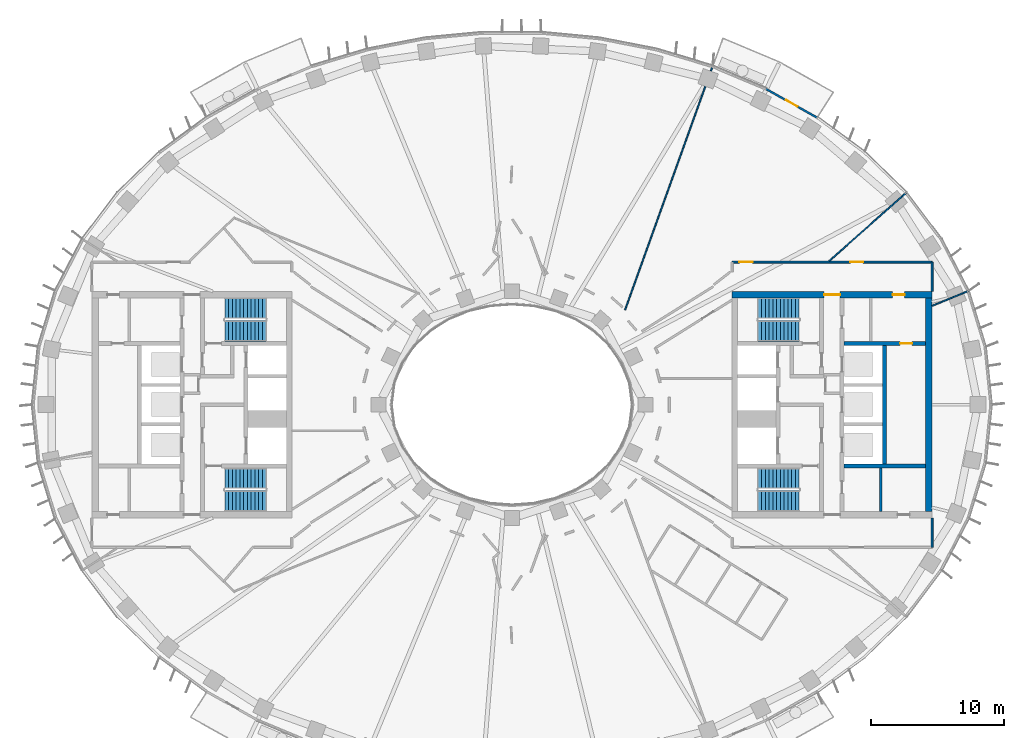
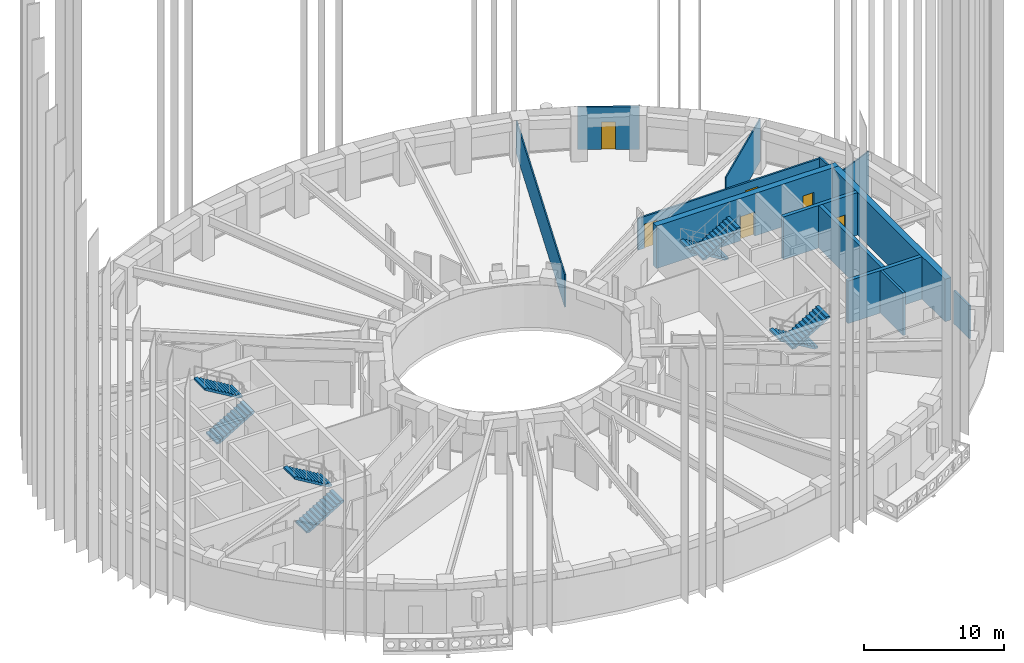
# One storey, part 7 of 19: 13 walls, 8 stair flights, 6 doors, 6 openings, 4 elements without a shape of their own.
"""IFC4 building model written with IfcOpenShell, lengths in metres."""

from ifc_helpers import new_model, si_unit, direction, frame, frame_2d, origin, place, context, subcontext, project, spatial, polyline, rectangle, outline, extrude, material, layer, layer_set, type_object, element, fill, aggregate, save


model = new_model("IFC4")

# Units and contexts
model_context = context("Model", 3, precision=1e-05, world=origin(), true_north=direction((0.0, 1.0)))
body_context = subcontext(model_context, "Body", "Model", "MODEL_VIEW")
ifc_project = project(units=[si_unit("LENGTHUNIT", "METRE"), si_unit("AREAUNIT", "SQUARE_METRE"), si_unit("VOLUMEUNIT", "CUBIC_METRE"), si_unit("PLANEANGLEUNIT", "RADIAN"), si_unit("MASSUNIT", "GRAM", prefix="KILO")], contexts=[model_context])

# Site, building, storey
site_placement = place(None, origin())
site = spatial("IfcSite", under=ifc_project, at=site_placement, CompositionType="ELEMENT")
building_placement = place(site_placement, origin())
building = spatial("IfcBuilding", under=site, at=building_placement, Name="Noorbagh Ring Tower", CompositionType="ELEMENT")
storey_placement = place(building_placement, frame((0.0, 0.0, 146.0)))
storey = spatial("IfcBuildingStorey", under=building, at=storey_placement, Name="L33", CompositionType="ELEMENT", Elevation=146.0)

# Walls
ifc_material_1 = material(Name="Gypsum board on steel studs", Category="steel")
ifc_layer_1 = layer(ifc_material_1, 0.199951171875)
ifc_layer_set_1 = layer_set([ifc_layer_1], Name="Gypsum board on steel studs")
wall_type_1 = type_object("IfcWallType", Name="CORE-PARTITION-200", PredefinedType="PARTITIONING", material=ifc_layer_set_1)
wall_1_placement = place(storey_placement, frame((27.64990234375, -8.0, 0.0), z_axis=(0.0, 0.0, 1.0), x_axis=(0.0, 1.0, 0.0)))
element("IfcWall", 1, at=wall_1_placement, inside=storey, type_object=wall_type_1, Name="Core partition E", PredefinedType="PARTITIONING", context=body_context, shape_type="SweptSolid", body=[
    extrude(rectangle(XDim=3.25, YDim=0.199951171875, at=frame_2d((1.625, 0.0))), origin(), (0.0, 0.0, 1.0), 3.699951171875),
])
ifc_material_2 = material(Name="Concrete C60/75", Category="concrete")
ifc_layer_2 = layer(ifc_material_2, 0.300048828125)
ifc_layer_set_2 = layer_set([ifc_layer_2], Name="Concrete C60/75")
wall_type_2 = type_object("IfcWallType", Name="CORE-WALL-300-C60-75-EI120", PredefinedType="SHEAR", material=ifc_layer_set_2)
wall_2_placement = place(storey_placement, frame((27.949951171875, -4.449951171875, 0.0), z_axis=(0.0, 0.0, 1.0), x_axis=(0.0, 1.0, 0.0)))
element("IfcWall", 2, at=wall_2_placement, inside=storey, type_object=wall_type_2, Name="Core wall E", PredefinedType="SHEAR", context=body_context, shape_type="SweptSolid", body=[
    extrude(rectangle(XDim=8.89990234375, YDim=0.300048828125, at=frame_2d((4.449951171875, 0.0))), origin(), (0.0, 0.0, 1.0), 3.699951171875),
])

# Wall, opening, door
ifc_material_3 = material(Name="Concrete C60/75", Category="concrete")
ifc_layer_3 = layer(ifc_material_3, 0.300048828125)
ifc_layer_set_3 = layer_set([ifc_layer_3], Name="Concrete C60/75")
wall_type_3 = type_object("IfcWallType", Name="CORE-WALL-300-C60-75-EI240", PredefinedType="SHEAR", material=ifc_layer_set_3)
wall_3_placement = place(storey_placement, frame((24.89990234375, 4.60009765625, 0.0), z_axis=(0.0, 0.0, 1.0), x_axis=(1.0, 0.0, 0.0)))
wall_3 = element("IfcWall", 3, at=wall_3_placement, inside=storey, type_object=wall_type_3, Name="Core wall E", PredefinedType="SHEAR", context=body_context, shape_type="SweptSolid", body=[
    extrude(rectangle(XDim=6.10009765625, YDim=0.300048828125, at=frame_2d((3.050048828125, 0.0))), origin(), (0.0, 0.0, 1.0), 3.699951171875),
])
opening_1_placement = place(wall_3_placement, frame((4.199951171875, 0.0, 0.0)))
opening_1 = element("IfcOpeningElement", 4, at=opening_1_placement, cuts=wall_3, Name="Opening L33-CE18", PredefinedType="OPENING", context=body_context, shape_type="SweptSolid", body=[
    extrude(rectangle(XDim=0.89990234375, YDim=2.10009765625, at=frame_2d((0.449951171875, 1.050048828125))), frame((0.0, 0.16015625, 0.0), z_axis=(0.0, -1.0, 0.0), x_axis=(1.0, 0.0, 0.0)), (0.0, 0.0, 1.0), 0.320068359375),
])
ifc_material_4 = material(Name="Steel door leaf", Category="steel")
door_type_1 = type_object("IfcDoorType", Name="CORE-DOOR-DROOM", OperationType="SINGLE_SWING_LEFT", PredefinedType="DOOR", material=ifc_material_4)
door_1_placement = place(opening_1_placement, origin())
door_1 = element("IfcDoor", 5, at=door_1_placement, inside=storey, type_object=door_type_1, Name="Core room door L33-CE18", OperationType="SINGLE_SWING_RIGHT", OverallHeight=2.10009765625, OverallWidth=0.89990234375, PredefinedType="DOOR", context=body_context, shape_type="SweptSolid", body=[
    extrude(rectangle(XDim=0.89990234375, YDim=2.10009765625, at=frame_2d((0.449951171875, 1.050048828125))), frame((0.0, 0.02490234375, 0.0), z_axis=(0.0, -1.0, 0.0), x_axis=(1.0, 0.0, 0.0)), (0.0, 0.0, 1.0), 0.050048828125),
])
fill(opening_1, door_1)

# Wall
wall_4_placement = place(storey_placement, frame((24.89990234375, -4.60009765625, 0.0), z_axis=(0.0, 0.0, 1.0), x_axis=(1.0, 0.0, 0.0)))
element("IfcWall", 6, at=wall_4_placement, inside=storey, type_object=wall_type_3, Name="Core wall E", PredefinedType="SHEAR", context=body_context, shape_type="SweptSolid", body=[
    extrude(rectangle(XDim=6.10009765625, YDim=0.300048828125, at=frame_2d((3.050048828125, 0.0))), origin(), (0.0, 0.0, 1.0), 3.699951171875),
])

# Wall, openings, doors
ifc_material_5 = material(Name="Concrete C60/75", Category="concrete")
ifc_layer_4 = layer(ifc_material_5, 0.5)
ifc_layer_set_4 = layer_set([ifc_layer_4], Name="Concrete C60/75")
wall_type_4 = type_object("IfcWallType", Name="CORE-WALL-500-C60-75-EI240", PredefinedType="SHEAR", material=ifc_layer_set_4)
wall_5_placement = place(storey_placement, frame((16.5, 8.25, 0.0), z_axis=(0.0, 0.0, 1.0), x_axis=(1.0, 0.0, 0.0)))
wall_5 = element("IfcWall", 7, at=wall_5_placement, inside=storey, type_object=wall_type_4, Name="Core wall E", PredefinedType="SHEAR", context=body_context, shape_type="SweptSolid", body=[
    extrude(rectangle(XDim=15.0, YDim=0.5, at=frame_2d((7.5, 0.0))), origin(), (0.0, 0.0, 1.0), 3.699951171875),
])
opening_2_placement = place(wall_5_placement, frame((6.89990234375, 0.0, 0.0)))
opening_2 = element("IfcOpeningElement", 8, at=opening_2_placement, cuts=wall_5, Name="Opening L33-CE11", PredefinedType="OPENING", context=body_context, shape_type="SweptSolid", body=[
    extrude(rectangle(XDim=1.199951171875, YDim=2.10009765625, at=frame_2d((0.60009765625, 1.050048828125))), frame((0.0, 0.260009765625, 0.0), z_axis=(0.0, -1.0, 0.0), x_axis=(1.0, 0.0, 0.0)), (0.0, 0.0, 1.0), 0.52001953125),
])
opening_3_placement = place(wall_5_placement, frame((12.050048828125, 0.0, 0.0)))
opening_3 = element("IfcOpeningElement", 9, at=opening_3_placement, cuts=wall_5, Name="Opening L33-CE14", PredefinedType="OPENING", context=body_context, shape_type="SweptSolid", body=[
    extrude(rectangle(XDim=0.89990234375, YDim=2.10009765625, at=frame_2d((0.449951171875, 1.050048828125))), frame((0.0, 0.260009765625, 0.0), z_axis=(0.0, -1.0, 0.0), x_axis=(1.0, 0.0, 0.0)), (0.0, 0.0, 1.0), 0.52001953125),
])
door_2_placement = place(opening_3_placement, origin())
door_2 = element("IfcDoor", 10, at=door_2_placement, inside=storey, type_object=door_type_1, Name="Core room door L33-CE14", OperationType="SINGLE_SWING_LEFT", OverallHeight=2.10009765625, OverallWidth=0.89990234375, PredefinedType="DOOR", context=body_context, shape_type="SweptSolid", body=[
    extrude(rectangle(XDim=0.89990234375, YDim=2.10009765625, at=frame_2d((0.449951171875, 1.050048828125))), frame((0.0, 0.02490234375, 0.0), z_axis=(0.0, -1.0, 0.0), x_axis=(1.0, 0.0, 0.0)), (0.0, 0.0, 1.0), 0.050048828125),
])
fill(opening_3, door_2)
ifc_material_6 = material(Name="Steel door leaf", Category="steel")
door_type_2 = type_object("IfcDoorType", Name="CORE-DOOR-PORT", OperationType="DOUBLE_DOOR_DOUBLE_SWING", PredefinedType="DOOR", material=ifc_material_6)
door_3_placement = place(opening_2_placement, origin())
door_3 = element("IfcDoor", 11, at=door_3_placement, inside=storey, type_object=door_type_2, Name="Core entrance door L33-CE11", OperationType="DOUBLE_DOOR_DOUBLE_SWING", OverallHeight=2.10009765625, OverallWidth=1.199951171875, PredefinedType="DOOR", context=body_context, shape_type="SweptSolid", body=[
    extrude(rectangle(XDim=1.199951171875, YDim=2.10009765625, at=frame_2d((0.60009765625, 1.050048828125))), frame((0.0, 0.02490234375, 0.0), z_axis=(0.0, -1.0, 0.0), x_axis=(1.0, 0.0, 0.0)), (0.0, 0.0, 1.0), 0.050048828125),
])
fill(opening_2, door_3)

# Wall
wall_6_placement = place(storey_placement, frame((31.25, -8.0, 0.0), z_axis=(0.0, 0.0, 1.0), x_axis=(0.0, 1.0, 0.0)))
element("IfcWall", 12, at=wall_6_placement, inside=storey, type_object=wall_type_4, Name="Core wall E", PredefinedType="SHEAR", context=body_context, shape_type="SweptSolid", body=[
    extrude(rectangle(XDim=16.0, YDim=0.5, at=frame_2d((8.0, 0.0))), origin(), (0.0, 0.0, 1.0), 3.699951171875),
])

# Wall, openings, doors
ifc_material_7 = material(Name="Gypsum board on steel studs", Category="steel")
ifc_layer_5 = layer(ifc_material_7, 0.14990234375)
ifc_layer_set_5 = layer_set([ifc_layer_5], Name="Gypsum board on steel studs")
wall_type_5 = type_object("IfcWallType", Name="CORRIDOR PARTITION 150 EI 30", PredefinedType="PARTITIONING", material=ifc_layer_set_5)
wall_7_placement = place(storey_placement, frame((16.5, 10.699951171875, 0.0), z_axis=(0.0, 0.0, 1.0), x_axis=(1.0, 0.0, 0.0)))
wall_7 = element("IfcWall", 13, at=wall_7_placement, inside=storey, type_object=wall_type_5, Name="L33/wall/P85", PredefinedType="PARTITIONING", context=body_context, shape_type="SweptSolid", body=[
    extrude(rectangle(XDim=15.0, YDim=0.14990234375, at=frame_2d((7.5, 0.0))), origin(), (0.0, 0.0, 1.0), 2.75),
])
opening_4_placement = place(wall_7_placement, frame((0.552001953125, 0.0, 0.0)))
opening_4 = element("IfcOpeningElement", 14, at=opening_4_placement, cuts=wall_7, Name="Opening D1", PredefinedType="OPENING", context=body_context, shape_type="SweptSolid", body=[
    extrude(rectangle(XDim=1.0, YDim=2.10009765625, at=frame_2d((0.5, 1.050048828125))), frame((0.0, 0.0849609375, 0.0), z_axis=(0.0, -1.0, 0.0), x_axis=(1.0, 0.0, 0.0)), (0.0, 0.0, 1.0), 0.169921875),
])
opening_5_placement = place(wall_7_placement, frame((8.85009765625, 0.0, 0.0)))
opening_5 = element("IfcOpeningElement", 15, at=opening_5_placement, cuts=wall_7, Name="Opening D1", PredefinedType="OPENING", context=body_context, shape_type="SweptSolid", body=[
    extrude(rectangle(XDim=1.0, YDim=2.10009765625, at=frame_2d((0.5, 1.050048828125))), frame((0.0, 0.0849609375, 0.0), z_axis=(0.0, -1.0, 0.0), x_axis=(1.0, 0.0, 0.0)), (0.0, 0.0, 1.0), 0.169921875),
])
ifc_material_8 = material(Name="Timber, painted", Category="wood")
door_type_3 = type_object("IfcDoorType", Name="DOOR 1000 X 2100 FD30", OperationType="SINGLE_SWING_LEFT", PredefinedType="DOOR", material=ifc_material_8)
door_4_placement = place(opening_4_placement, origin())
door_4 = element("IfcDoor", 16, at=door_4_placement, inside=storey, type_object=door_type_3, Name="L33-D12", OperationType="SINGLE_SWING_RIGHT", OverallHeight=2.10009765625, OverallWidth=1.0, PredefinedType="DOOR", context=body_context, shape_type="SweptSolid", body=[
    extrude(rectangle(XDim=1.0, YDim=2.10009765625, at=frame_2d((0.5, 1.050048828125))), frame((0.0, 0.02490234375, 0.0), z_axis=(0.0, -1.0, 0.0), x_axis=(1.0, 0.0, 0.0)), (0.0, 0.0, 1.0), 0.050048828125),
])
fill(opening_4, door_4)
door_5_placement = place(opening_5_placement, origin())
door_5 = element("IfcDoor", 17, at=door_5_placement, inside=storey, type_object=door_type_3, Name="L33-D14", OperationType="SINGLE_SWING_RIGHT", OverallHeight=2.10009765625, OverallWidth=1.0, PredefinedType="DOOR", context=body_context, shape_type="SweptSolid", body=[
    extrude(rectangle(XDim=1.0, YDim=2.10009765625, at=frame_2d((0.5, 1.050048828125))), frame((0.0, 0.02490234375, 0.0), z_axis=(0.0, -1.0, 0.0), x_axis=(1.0, 0.0, 0.0)), (0.0, 0.0, 1.0), 0.050048828125),
])
fill(opening_5, door_5)

# Walls
for number, where, z_axis, x_axis, name in (
    (18, (31.5, -10.699951171875, 0.0), (0.0, 0.0, 1.0), (0.0, 1.0, 0.0), "L33/wall/P92"),
    (19, (31.5, 8.5, 0.0), (0.0, 0.0, 1.0), (0.0, 1.0, 0.0), "L33/wall/P94"),
):
    element("IfcWall", number, at=place(storey_placement, frame(where, z_axis=z_axis, x_axis=x_axis)), inside=storey, type_object=wall_type_5, Name=name, PredefinedType="PARTITIONING", context=body_context, shape_type="SweptSolid", body=[
        extrude(rectangle(XDim=2.199951171875, YDim=0.14990234375, at=frame_2d((1.10009765625, 0.0))), origin(), (0.0, 0.0, 1.0), 2.89990234375),
    ])

# Wall, opening, door
ifc_material_9 = material(Name="Insulated aluminium clad panel", Category="aluminium")
ifc_layer_6 = layer(ifc_material_9, 0.14990234375)
ifc_layer_set_6 = layer_set([ifc_layer_6], Name="Insulated aluminium clad panel")
wall_type_6 = type_object("IfcWallType", Name="ENV-WALL-DOOR", PredefinedType="STANDARD", material=ifc_layer_set_6)
wall_8_placement = place(storey_placement, frame((22.913330078125, 21.508544921875, 0.0), z_axis=(0.0, 0.0, 1.0), x_axis=(-0.872046572975, 0.489422899509, 0.0)))
wall_8 = element("IfcWall", 20, at=wall_8_placement, inside=storey, type_object=wall_type_6, Name="Balcony door wall chord 07", PredefinedType="STANDARD", context=body_context, shape_type="SweptSolid", body=[
    extrude(rectangle(XDim=4.425537109375, YDim=0.14990234375, at=frame_2d((2.212890625, 0.0))), origin(), (0.0, 0.0, 1.0), 3.699951171875),
])
opening_6_placement = place(wall_8_placement, frame((1.712646484375, 0.0, 0.0)))
opening_6 = element("IfcOpeningElement", 21, at=opening_6_placement, cuts=wall_8, Name="Opening D-BL", PredefinedType="OPENING", context=body_context, shape_type="SweptSolid", body=[
    extrude(rectangle(XDim=1.0, YDim=2.39990234375, at=frame_2d((0.5, 1.199951171875))), frame((0.0, 0.0849609375, 0.0), z_axis=(0.0, -1.0, 0.0), x_axis=(1.0, 0.0, 0.0)), (0.0, 0.0, 1.0), 0.169921875),
])
ifc_material_10 = material(Name="Aluminium and glass", Category="aluminium")
door_type_4 = type_object("IfcDoorType", Name="ENV-DOOR-BALCONY", OperationType="SINGLE_SWING_LEFT", PredefinedType="DOOR", material=ifc_material_10)
door_6_placement = place(opening_6_placement, origin())
door_6 = element("IfcDoor", 22, at=door_6_placement, inside=storey, type_object=door_type_4, Name="Balcony door chord 07", OperationType="SINGLE_SWING_RIGHT", OverallHeight=2.39990234375, OverallWidth=1.0, PredefinedType="DOOR", context=body_context, shape_type="SweptSolid", body=[
    extrude(rectangle(XDim=1.0, YDim=2.39990234375, at=frame_2d((0.5, 1.199951171875))), frame((0.0, 0.02490234375, 0.0), z_axis=(0.0, -1.0, 0.0), x_axis=(1.0, 0.0, 0.0)), (0.0, 0.0, 1.0), 0.050048828125),
])
fill(opening_6, door_6)

# Walls
ifc_material_11 = material(Name="Gypsum board on steel studs", Category="steel")
ifc_layer_7 = layer(ifc_material_11, 0.10009765625)
ifc_layer_set_7 = layer_set([ifc_layer_7], Name="Gypsum board on steel studs")
wall_type_7 = type_object("IfcWallType", Name="PARTITION 100 GYPSUM", PredefinedType="PARTITIONING", material=ifc_layer_set_7)
wall_9_placement = place(storey_placement, frame((8.47802734375, 7.111083984375, 0.0), z_axis=(0.0, 0.0, 1.0), x_axis=(0.338361922043, 0.941016051782, 0.0)))
element("IfcWall", 23, at=wall_9_placement, inside=storey, type_object=wall_type_7, Name="L33/wall/P64", PredefinedType="PARTITIONING", context=body_context, shape_type="SweptSolid", body=[
    extrude(rectangle(XDim=19.417236328125, YDim=0.10009765625, at=frame_2d((9.70849609375, 0.0))), origin(), (0.0, 0.0, 1.0), 2.85009765625),
])
wall_10_placement = place(storey_placement, frame((23.784912109375, 10.778076171875, 0.0), z_axis=(0.0, 0.0, 1.0), x_axis=(0.748985701008, 0.662586160198, 0.0)))
element("IfcWall", 24, at=wall_10_placement, inside=storey, type_object=wall_type_7, Name="L33/wall/P91", PredefinedType="PARTITIONING", context=body_context, shape_type="SweptSolid", body=[
    extrude(rectangle(XDim=7.72265625, YDim=0.10009765625, at=frame_2d((3.861328125, 0.0))), origin(), (0.0, 0.0, 1.0), 3.699951171875),
])
wall_11_placement = place(storey_placement, frame((31.5, 7.409912109375, 0.0), z_axis=(0.0, 0.0, 1.0), x_axis=(0.925344112436, 0.379128307542, 0.0)))
element("IfcWall", 25, at=wall_11_placement, inside=storey, type_object=wall_type_7, Name="L33/wall/P93", PredefinedType="PARTITIONING", context=body_context, shape_type="SweptSolid", body=[
    extrude(rectangle(XDim=2.954345703125, YDim=0.10009765625, at=frame_2d((1.47705078125, 0.0))), origin(), (0.0, 0.0, 1.0), 3.699951171875),
])

# Stair, stair flights
ifc_material_12 = material(Name="Concrete C40/50", Category="concrete")
stair_type = type_object("IfcStairType", Name="CORE-STAIR", PredefinedType="HALF_TURN_STAIR", material=ifc_material_12)
stair_1_placement = place(storey_placement, origin())
stair_1 = element("IfcStair", 26, at=stair_1_placement, inside=storey, type_object=stair_type, Name="L33 Exit stair ST1", PredefinedType="HALF_TURN_STAIR")
ifc_material_13 = material(Name="Concrete C40/50", Category="concrete")
stair_flight_type = type_object("IfcStairFlightType", Name="CORE-STAIR-FLIGHT", PredefinedType="STRAIGHT", material=ifc_material_13)
stair_flight_1_placement = place(storey_placement, frame((-21.530029296875, 5.52490234375, 0.0), z_axis=(0.0, 0.0, 1.0), x_axis=(1.0, 0.0, 0.0)))
stair_flight_1 = element("IfcStairFlight", 27, at=stair_flight_1_placement, type_object=stair_flight_type, Name="ST1 flight 1", NumberOfRisers=12, NumberOfTreads=11, PredefinedType="STRAIGHT", RiserHeight=0.166666667, TreadLength=0.28, context=body_context, shape_type="SweptSolid", body=[
    extrude(outline(polyline([(0.0, 0.0), (0.0, 0.166748046875), (0.280029296875, 0.166748046875), (0.280029296875, 0.333251953125), (0.56005859375, 0.333251953125), (0.56005859375, 0.5), (0.840087890625, 0.5), (0.840087890625, 0.666748046875), (1.1201171875, 0.666748046875), (1.1201171875, 0.833251953125), (1.39990234375, 0.833251953125), (1.39990234375, 1.0), (1.679931640625, 1.0), (1.679931640625, 1.166748046875), (1.9599609375, 1.166748046875), (1.9599609375, 1.333251953125), (2.239990234375, 1.333251953125), (2.239990234375, 1.5), (2.52001953125, 1.5), (2.52001953125, 1.666748046875), (2.800048828125, 1.666748046875), (2.800048828125, 1.833251953125), (3.080078125, 1.833251953125), (3.080078125, 2.0), (3.080078125, 1.658935546875), (0.29296875, 0.0), (0.0, 0.0)])), frame((0.0, 0.77490234375, 0.0), z_axis=(0.0, -1.0, 0.0), x_axis=(1.0, 0.0, 0.0)), (0.0, 0.0, 1.0), 1.550048828125),
])
stair_flight_2_placement = place(storey_placement, frame((-18.449951171875, 7.22509765625, 2.0), z_axis=(0.0, 0.0, 1.0), x_axis=(-1.0, 0.0, 0.0)))
stair_flight_2 = element("IfcStairFlight", 28, at=stair_flight_2_placement, type_object=stair_flight_type, Name="ST1 flight 2", NumberOfRisers=12, NumberOfTreads=11, PredefinedType="STRAIGHT", RiserHeight=0.166666667, TreadLength=0.28, context=body_context, shape_type="SweptSolid", body=[
    extrude(outline(polyline([(0.0, 0.0), (0.0, 0.166748046875), (0.280029296875, 0.166748046875), (0.280029296875, 0.333251953125), (0.56005859375, 0.333251953125), (0.56005859375, 0.5), (0.840087890625, 0.5), (0.840087890625, 0.666748046875), (1.1201171875, 0.666748046875), (1.1201171875, 0.833251953125), (1.39990234375, 0.833251953125), (1.39990234375, 1.0), (1.679931640625, 1.0), (1.679931640625, 1.166748046875), (1.9599609375, 1.166748046875), (1.9599609375, 1.333251953125), (2.239990234375, 1.333251953125), (2.239990234375, 1.5), (2.52001953125, 1.5), (2.52001953125, 1.666748046875), (2.800048828125, 1.666748046875), (2.800048828125, 1.833251953125), (3.080078125, 1.833251953125), (3.080078125, 2.0), (3.080078125, 1.658935546875), (0.29296875, 0.0), (0.0, 0.0)])), frame((0.0, 0.77490234375, 0.0), z_axis=(0.0, -1.0, 0.0), x_axis=(1.0, 0.0, 0.0)), (0.0, 0.0, 1.0), 1.550048828125),
])
aggregate(stair_1, [stair_flight_1, stair_flight_2])

stair_2_placement = place(storey_placement, origin())
stair_2 = element("IfcStair", 29, at=stair_2_placement, inside=storey, type_object=stair_type, Name="L33 Exit stair ST2", PredefinedType="HALF_TURN_STAIR")
stair_flight_3_placement = place(storey_placement, frame((-21.530029296875, -7.22509765625, 0.0), z_axis=(0.0, 0.0, 1.0), x_axis=(1.0, 0.0, 0.0)))
stair_flight_3 = element("IfcStairFlight", 30, at=stair_flight_3_placement, type_object=stair_flight_type, Name="ST2 flight 1", NumberOfRisers=12, NumberOfTreads=11, PredefinedType="STRAIGHT", RiserHeight=0.166666667, TreadLength=0.28, context=body_context, shape_type="SweptSolid", body=[
    extrude(outline(polyline([(0.0, 0.0), (0.0, 0.166748046875), (0.280029296875, 0.166748046875), (0.280029296875, 0.333251953125), (0.56005859375, 0.333251953125), (0.56005859375, 0.5), (0.840087890625, 0.5), (0.840087890625, 0.666748046875), (1.1201171875, 0.666748046875), (1.1201171875, 0.833251953125), (1.39990234375, 0.833251953125), (1.39990234375, 1.0), (1.679931640625, 1.0), (1.679931640625, 1.166748046875), (1.9599609375, 1.166748046875), (1.9599609375, 1.333251953125), (2.239990234375, 1.333251953125), (2.239990234375, 1.5), (2.52001953125, 1.5), (2.52001953125, 1.666748046875), (2.800048828125, 1.666748046875), (2.800048828125, 1.833251953125), (3.080078125, 1.833251953125), (3.080078125, 2.0), (3.080078125, 1.658935546875), (0.29296875, 0.0), (0.0, 0.0)])), frame((0.0, 0.77490234375, 0.0), z_axis=(0.0, -1.0, 0.0), x_axis=(1.0, 0.0, 0.0)), (0.0, 0.0, 1.0), 1.550048828125),
])
stair_flight_4_placement = place(storey_placement, frame((-18.449951171875, -5.52490234375, 2.0), z_axis=(0.0, 0.0, 1.0), x_axis=(-1.0, 0.0, 0.0)))
stair_flight_4 = element("IfcStairFlight", 31, at=stair_flight_4_placement, type_object=stair_flight_type, Name="ST2 flight 2", NumberOfRisers=12, NumberOfTreads=11, PredefinedType="STRAIGHT", RiserHeight=0.166666667, TreadLength=0.28, context=body_context, shape_type="SweptSolid", body=[
    extrude(outline(polyline([(0.0, 0.0), (0.0, 0.166748046875), (0.280029296875, 0.166748046875), (0.280029296875, 0.333251953125), (0.56005859375, 0.333251953125), (0.56005859375, 0.5), (0.840087890625, 0.5), (0.840087890625, 0.666748046875), (1.1201171875, 0.666748046875), (1.1201171875, 0.833251953125), (1.39990234375, 0.833251953125), (1.39990234375, 1.0), (1.679931640625, 1.0), (1.679931640625, 1.166748046875), (1.9599609375, 1.166748046875), (1.9599609375, 1.333251953125), (2.239990234375, 1.333251953125), (2.239990234375, 1.5), (2.52001953125, 1.5), (2.52001953125, 1.666748046875), (2.800048828125, 1.666748046875), (2.800048828125, 1.833251953125), (3.080078125, 1.833251953125), (3.080078125, 2.0), (3.080078125, 1.658935546875), (0.29296875, 0.0), (0.0, 0.0)])), frame((0.0, 0.77490234375, 0.0), z_axis=(0.0, -1.0, 0.0), x_axis=(1.0, 0.0, 0.0)), (0.0, 0.0, 1.0), 1.550048828125),
])
aggregate(stair_2, [stair_flight_3, stair_flight_4])

stair_3_placement = place(storey_placement, origin())
stair_3 = element("IfcStair", 32, at=stair_3_placement, inside=storey, type_object=stair_type, Name="L33 Exit stair ST3", PredefinedType="HALF_TURN_STAIR")
stair_flight_5_placement = place(storey_placement, frame((21.530029296875, 7.22509765625, 0.0), z_axis=(0.0, 0.0, 1.0), x_axis=(-1.0, 0.0, 0.0)))
stair_flight_5 = element("IfcStairFlight", 33, at=stair_flight_5_placement, type_object=stair_flight_type, Name="ST3 flight 1", NumberOfRisers=12, NumberOfTreads=11, PredefinedType="STRAIGHT", RiserHeight=0.166666667, TreadLength=0.28, context=body_context, shape_type="SweptSolid", body=[
    extrude(outline(polyline([(0.0, 0.0), (0.0, 0.166748046875), (0.280029296875, 0.166748046875), (0.280029296875, 0.333251953125), (0.56005859375, 0.333251953125), (0.56005859375, 0.5), (0.840087890625, 0.5), (0.840087890625, 0.666748046875), (1.1201171875, 0.666748046875), (1.1201171875, 0.833251953125), (1.39990234375, 0.833251953125), (1.39990234375, 1.0), (1.679931640625, 1.0), (1.679931640625, 1.166748046875), (1.9599609375, 1.166748046875), (1.9599609375, 1.333251953125), (2.239990234375, 1.333251953125), (2.239990234375, 1.5), (2.52001953125, 1.5), (2.52001953125, 1.666748046875), (2.800048828125, 1.666748046875), (2.800048828125, 1.833251953125), (3.080078125, 1.833251953125), (3.080078125, 2.0), (3.080078125, 1.658935546875), (0.29296875, 0.0), (0.0, 0.0)])), frame((0.0, 0.77490234375, 0.0), z_axis=(0.0, -1.0, 0.0), x_axis=(1.0, 0.0, 0.0)), (0.0, 0.0, 1.0), 1.550048828125),
])
stair_flight_6_placement = place(storey_placement, frame((18.449951171875, 5.52490234375, 2.0), z_axis=(0.0, 0.0, 1.0), x_axis=(1.0, 0.0, 0.0)))
stair_flight_6 = element("IfcStairFlight", 34, at=stair_flight_6_placement, type_object=stair_flight_type, Name="ST3 flight 2", NumberOfRisers=12, NumberOfTreads=11, PredefinedType="STRAIGHT", RiserHeight=0.166666667, TreadLength=0.28, context=body_context, shape_type="SweptSolid", body=[
    extrude(outline(polyline([(0.0, 0.0), (0.0, 0.166748046875), (0.280029296875, 0.166748046875), (0.280029296875, 0.333251953125), (0.56005859375, 0.333251953125), (0.56005859375, 0.5), (0.840087890625, 0.5), (0.840087890625, 0.666748046875), (1.1201171875, 0.666748046875), (1.1201171875, 0.833251953125), (1.39990234375, 0.833251953125), (1.39990234375, 1.0), (1.679931640625, 1.0), (1.679931640625, 1.166748046875), (1.9599609375, 1.166748046875), (1.9599609375, 1.333251953125), (2.239990234375, 1.333251953125), (2.239990234375, 1.5), (2.52001953125, 1.5), (2.52001953125, 1.666748046875), (2.800048828125, 1.666748046875), (2.800048828125, 1.833251953125), (3.080078125, 1.833251953125), (3.080078125, 2.0), (3.080078125, 1.658935546875), (0.29296875, 0.0), (0.0, 0.0)])), frame((0.0, 0.77490234375, 0.0), z_axis=(0.0, -1.0, 0.0), x_axis=(1.0, 0.0, 0.0)), (0.0, 0.0, 1.0), 1.550048828125),
])
aggregate(stair_3, [stair_flight_5, stair_flight_6])

stair_4_placement = place(storey_placement, origin())
stair_4 = element("IfcStair", 35, at=stair_4_placement, inside=storey, type_object=stair_type, Name="L33 Exit stair ST4", PredefinedType="HALF_TURN_STAIR")
stair_flight_7_placement = place(storey_placement, frame((21.530029296875, -5.52490234375, 0.0), z_axis=(0.0, 0.0, 1.0), x_axis=(-1.0, 0.0, 0.0)))
stair_flight_7 = element("IfcStairFlight", 36, at=stair_flight_7_placement, type_object=stair_flight_type, Name="ST4 flight 1", NumberOfRisers=12, NumberOfTreads=11, PredefinedType="STRAIGHT", RiserHeight=0.166666667, TreadLength=0.28, context=body_context, shape_type="SweptSolid", body=[
    extrude(outline(polyline([(0.0, 0.0), (0.0, 0.166748046875), (0.280029296875, 0.166748046875), (0.280029296875, 0.333251953125), (0.56005859375, 0.333251953125), (0.56005859375, 0.5), (0.840087890625, 0.5), (0.840087890625, 0.666748046875), (1.1201171875, 0.666748046875), (1.1201171875, 0.833251953125), (1.39990234375, 0.833251953125), (1.39990234375, 1.0), (1.679931640625, 1.0), (1.679931640625, 1.166748046875), (1.9599609375, 1.166748046875), (1.9599609375, 1.333251953125), (2.239990234375, 1.333251953125), (2.239990234375, 1.5), (2.52001953125, 1.5), (2.52001953125, 1.666748046875), (2.800048828125, 1.666748046875), (2.800048828125, 1.833251953125), (3.080078125, 1.833251953125), (3.080078125, 2.0), (3.080078125, 1.658935546875), (0.29296875, 0.0), (0.0, 0.0)])), frame((0.0, 0.77490234375, 0.0), z_axis=(0.0, -1.0, 0.0), x_axis=(1.0, 0.0, 0.0)), (0.0, 0.0, 1.0), 1.550048828125),
])
stair_flight_8_placement = place(storey_placement, frame((18.449951171875, -7.22509765625, 2.0), z_axis=(0.0, 0.0, 1.0), x_axis=(1.0, 0.0, 0.0)))
stair_flight_8 = element("IfcStairFlight", 37, at=stair_flight_8_placement, type_object=stair_flight_type, Name="ST4 flight 2", NumberOfRisers=12, NumberOfTreads=11, PredefinedType="STRAIGHT", RiserHeight=0.166666667, TreadLength=0.28, context=body_context, shape_type="SweptSolid", body=[
    extrude(outline(polyline([(0.0, 0.0), (0.0, 0.166748046875), (0.280029296875, 0.166748046875), (0.280029296875, 0.333251953125), (0.56005859375, 0.333251953125), (0.56005859375, 0.5), (0.840087890625, 0.5), (0.840087890625, 0.666748046875), (1.1201171875, 0.666748046875), (1.1201171875, 0.833251953125), (1.39990234375, 0.833251953125), (1.39990234375, 1.0), (1.679931640625, 1.0), (1.679931640625, 1.166748046875), (1.9599609375, 1.166748046875), (1.9599609375, 1.333251953125), (2.239990234375, 1.333251953125), (2.239990234375, 1.5), (2.52001953125, 1.5), (2.52001953125, 1.666748046875), (2.800048828125, 1.666748046875), (2.800048828125, 1.833251953125), (3.080078125, 1.833251953125), (3.080078125, 2.0), (3.080078125, 1.658935546875), (0.29296875, 0.0), (0.0, 0.0)])), frame((0.0, 0.77490234375, 0.0), z_axis=(0.0, -1.0, 0.0), x_axis=(1.0, 0.0, 0.0)), (0.0, 0.0, 1.0), 1.550048828125),
])
aggregate(stair_4, [stair_flight_7, stair_flight_8])

save(model, "model.ifc")
